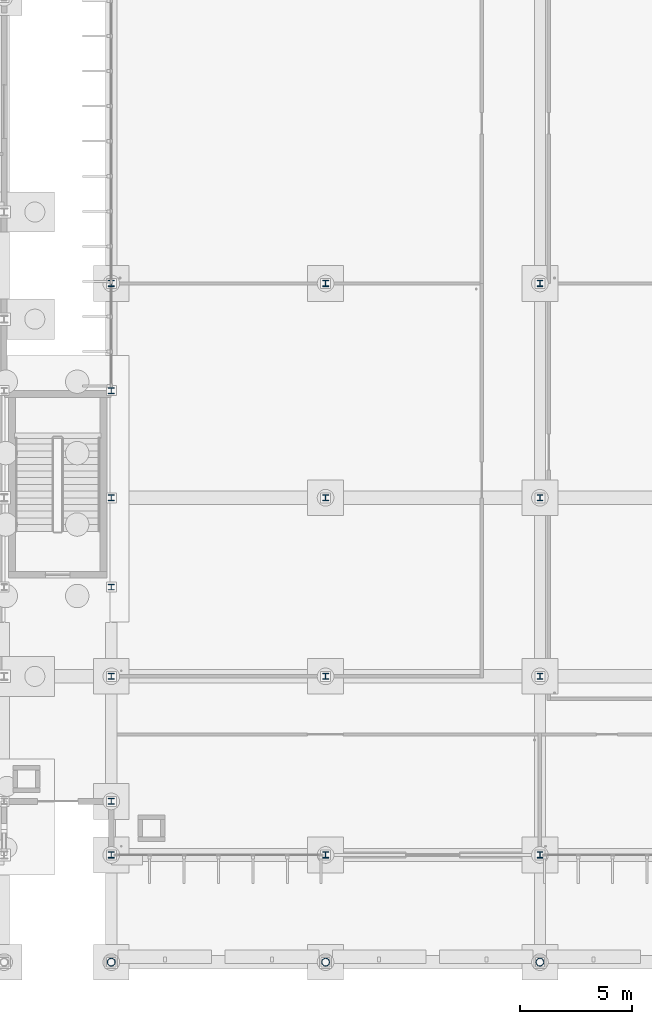
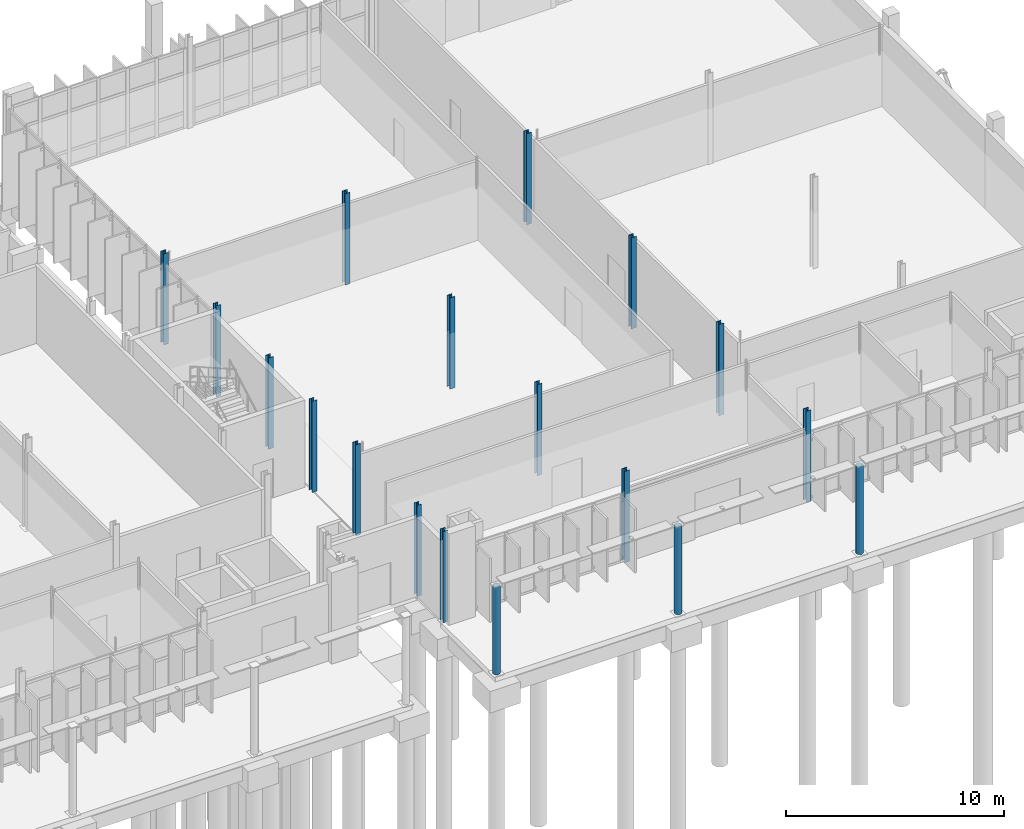
# One storey, part 18 of 111: 18 columns.
"""IFC4 building model written with IfcOpenShell, lengths in metres."""

from ifc_helpers import new_model, si_unit, direction, frame, origin, origin_2d, place, context, subcontext, project, spatial, hollow_circle, i_section, extrude, material, material_profile, profile_set, type_object, element, save


model = new_model("IFC4")

# Units and contexts
model_context = context("Model", 3, precision=1e-05, world=origin(), true_north=direction((0.0, 1.0)))
body_context = subcontext(model_context, "Body", "Model", "MODEL_VIEW")
ifc_project = project(units=[si_unit("LENGTHUNIT", "METRE"), si_unit("AREAUNIT", "SQUARE_METRE"), si_unit("VOLUMEUNIT", "CUBIC_METRE"), si_unit("PLANEANGLEUNIT", "RADIAN"), si_unit("MASSUNIT", "GRAM", prefix="KILO")], contexts=[model_context])

# Site, building, storey
site_placement = place(None, origin())
site = spatial("IfcSite", under=ifc_project, at=site_placement, CompositionType="ELEMENT")
building_placement = place(site_placement, origin())
building = spatial("IfcBuilding", under=site, at=building_placement, Name="Dunescarp Central Library", CompositionType="ELEMENT")
storey_placement = place(building_placement, origin())
storey = spatial("IfcBuildingStorey", under=building, at=storey_placement, Name="L00", CompositionType="ELEMENT", Elevation=0.0)

# Columns
ifc_material_1 = material(Name="Steel S355J0", Category="steel")
ifc_material_profile_1 = material_profile(ifc_material_1, hollow_circle(Radius=0.177734375, WallThickness=0.012451171875, at=origin_2d()), Name="CHS 355.6x12.5")
ifc_profile_set_1 = profile_set([ifc_material_profile_1], Name="Steel S355J0")
column_type_1 = type_object("IfcColumnType", Name="STR-COL-CHS355", PredefinedType="COLUMN", material=ifc_profile_set_1)
for number, where, z_axis, x_axis, name in (
    (1, (129.60009765625, 0.0, 0.0), (0.0, 0.0, 1.0), (1.0, 0.0, 0.0), "L00 column COLS-1296"),
    (2, (139.199951171875, 0.0, 0.0), (0.0, 0.0, 1.0), (1.0, 0.0, 0.0), "L00 column COLS-1392"),
    (3, (148.800048828125, 0.0, 0.0), (0.0, 0.0, 1.0), (1.0, 0.0, 0.0), "L00 column COLS-1488"),
):
    element("IfcColumn", number, at=place(storey_placement, frame(where, z_axis=z_axis, x_axis=x_axis)), inside=storey, type_object=column_type_1, Name=name, PredefinedType="COLUMN", context=body_context, shape_type="SweptSolid", body=[
        extrude(hollow_circle(Radius=0.177734375, WallThickness=0.012451171875, at=origin_2d()), origin(), (0.0, 0.0, 1.0), 4.909912109375),
    ])
ifc_material_2 = material(Name="Steel S355JR", Category="steel")
ifc_material_profile_2 = material_profile(ifc_material_2, i_section(OverallWidth=0.26123046875, OverallDepth=0.2763671875, WebThickness=0.015380859375, FlangeThickness=0.025390625, at=origin_2d()), Name="UC 254x254x132")
ifc_profile_set_2 = profile_set([ifc_material_profile_2], Name="Steel S355JR")
column_type_2 = type_object("IfcColumnType", Name="STR-COL-UC254X132", PredefinedType="COLUMN", material=ifc_profile_set_2)
for number, where, z_axis, x_axis, name in (
    (4, (129.60009765625, 4.800048828125, 0.0), (0.0, 0.0, 1.0), (1.0, 0.0, 0.0), "L00 column V5-1296-48"),
    (5, (129.60009765625, 12.800048828125, 0.0), (0.0, 0.0, 1.0), (1.0, 0.0, 0.0), "L00 column V5-1296-128"),
    (6, (129.60009765625, 20.800048828125, 0.0), (0.0, 0.0, 1.0), (1.0, 0.0, 0.0), "L00 column V5-1296-208"),
    (7, (129.60009765625, 30.39990234375, 0.0), (0.0, 0.0, 1.0), (1.0, 0.0, 0.0), "L00 column V5-1296-304"),
    (8, (139.199951171875, 4.800048828125, 0.0), (0.0, 0.0, 1.0), (1.0, 0.0, 0.0), "L00 column V5-1392-48"),
    (9, (139.199951171875, 12.800048828125, 0.0), (0.0, 0.0, 1.0), (1.0, 0.0, 0.0), "L00 column V5-1392-128"),
    (10, (139.199951171875, 20.800048828125, 0.0), (0.0, 0.0, 1.0), (1.0, 0.0, 0.0), "L00 column V5-1392-208"),
    (11, (139.199951171875, 30.39990234375, 0.0), (0.0, 0.0, 1.0), (1.0, 0.0, 0.0), "L00 column V5-1392-304"),
    (12, (148.800048828125, 4.800048828125, 0.0), (0.0, 0.0, 1.0), (1.0, 0.0, 0.0), "L00 column V5-1488-48"),
    (13, (148.800048828125, 12.800048828125, 0.0), (0.0, 0.0, 1.0), (1.0, 0.0, 0.0), "L00 column V5-1488-128"),
    (14, (148.800048828125, 20.800048828125, 0.0), (0.0, 0.0, 1.0), (1.0, 0.0, 0.0), "L00 column V5-1488-208"),
    (15, (148.800048828125, 30.39990234375, 0.0), (0.0, 0.0, 1.0), (1.0, 0.0, 0.0), "L00 column V5-1488-304"),
):
    element("IfcColumn", number, at=place(storey_placement, frame(where, z_axis=z_axis, x_axis=x_axis)), inside=storey, type_object=column_type_2, Name=name, PredefinedType="COLUMN", context=body_context, shape_type="SweptSolid", body=[
        extrude(i_section(OverallWidth=0.26123046875, OverallDepth=0.2763671875, WebThickness=0.015380859375, FlangeThickness=0.025390625, at=origin_2d()), origin(), (0.0, 0.0, 1.0), 5.10009765625),
    ])
ifc_material_profile_3 = material_profile(ifc_material_2, i_section(OverallWidth=0.25634765625, OverallDepth=0.26025390625, WebThickness=0.01025390625, FlangeThickness=0.017333984375, at=origin_2d()), Name="UC 254x254x89")
ifc_profile_set_3 = profile_set([ifc_material_profile_3], Name="Steel S355JR")
column_type_3 = type_object("IfcColumnType", Name="STR-COL-UC254X89", PredefinedType="COLUMN", material=ifc_profile_set_3)
for number, where, z_axis, x_axis, name in (
    (16, (129.60009765625, 7.199951171875, 0.0), (0.0, 0.0, 1.0), (1.0, 0.0, 0.0), "L00 column V5L-72"),
    (17, (129.60009765625, 16.800048828125, 0.0), (0.0, 0.0, 1.0), (1.0, 0.0, 0.0), "L00 column V5L-168"),
    (18, (129.60009765625, 25.60009765625, 0.0), (0.0, 0.0, 1.0), (1.0, 0.0, 0.0), "L00 column V5L-256"),
):
    element("IfcColumn", number, at=place(storey_placement, frame(where, z_axis=z_axis, x_axis=x_axis)), inside=storey, type_object=column_type_3, Name=name, PredefinedType="COLUMN", context=body_context, shape_type="SweptSolid", body=[
        extrude(i_section(OverallWidth=0.25634765625, OverallDepth=0.26025390625, WebThickness=0.01025390625, FlangeThickness=0.017333984375, at=origin_2d()), origin(), (0.0, 0.0, 1.0), 5.10009765625),
    ])

save(model, "model.ifc")
